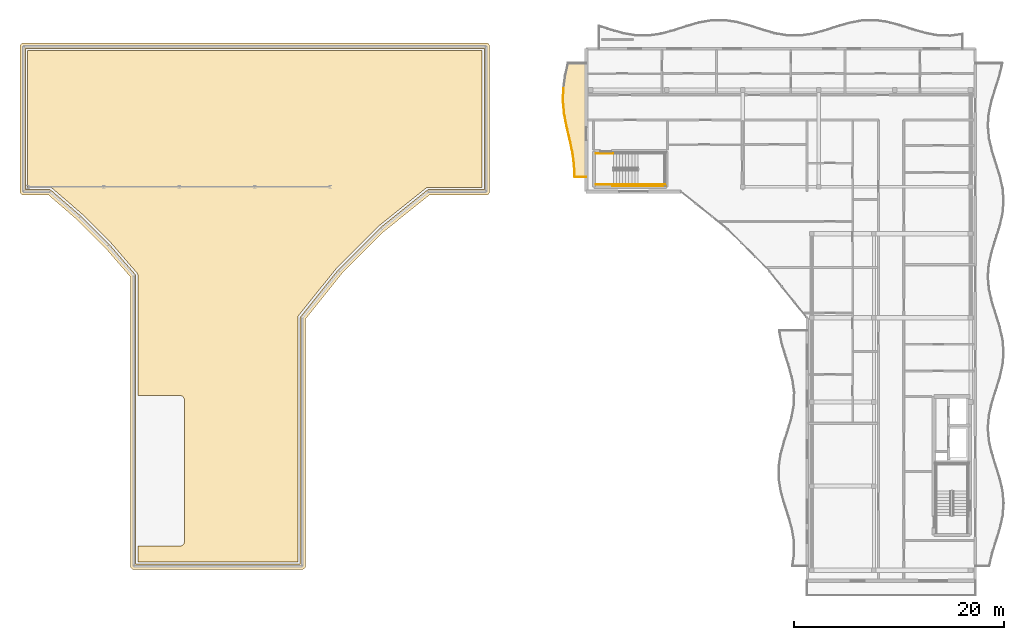
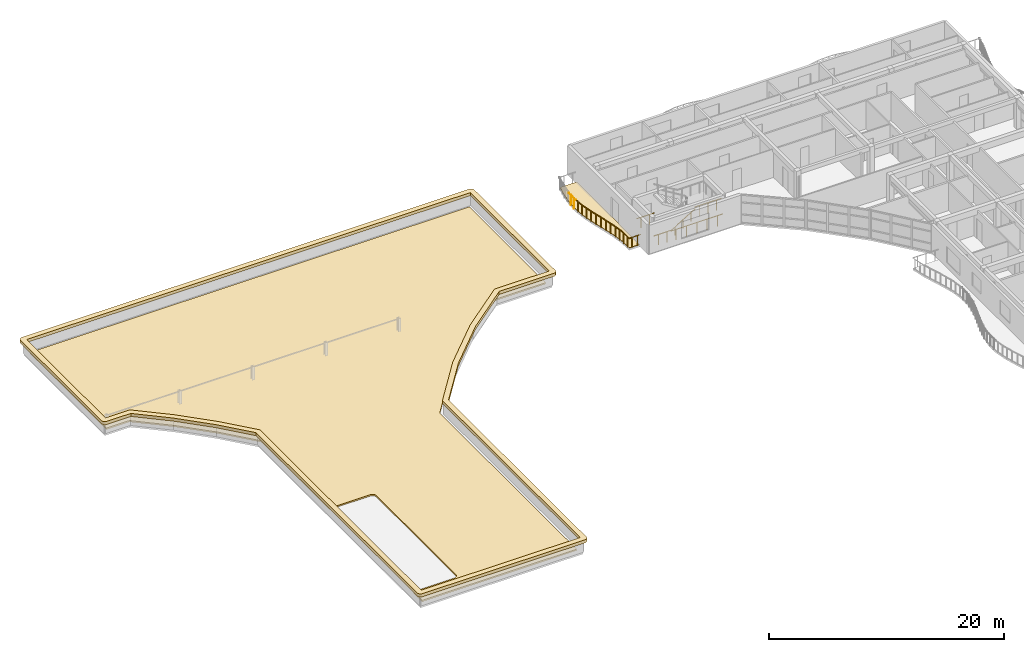
# One storey, part 14 of 18: 13 railings, 3 coverings.
"""IFC4 building model written with IfcOpenShell, lengths in metres."""

from ifc_helpers import new_model, si_unit, direction, frame, origin, origin_2d, place, context, subcontext, project, spatial, polyline, circle, outline, extrude, material, layer, layer_set, type_object, element, save


model = new_model("IFC4")

# Units and contexts
model_context = context("Model", 3, precision=1e-05, world=origin(), true_north=direction((0.0, 1.0)))
body_context = subcontext(model_context, "Body", "Model", "MODEL_VIEW")
ifc_project = project(units=[si_unit("LENGTHUNIT", "METRE"), si_unit("AREAUNIT", "SQUARE_METRE"), si_unit("VOLUMEUNIT", "CUBIC_METRE"), si_unit("PLANEANGLEUNIT", "RADIAN"), si_unit("MASSUNIT", "GRAM", prefix="KILO")], contexts=[model_context])

# Site, building, storey
site_placement = place(None, origin())
site = spatial("IfcSite", under=ifc_project, at=site_placement, CompositionType="ELEMENT")
building_placement = place(site_placement, origin())
building = spatial("IfcBuilding", under=site, at=building_placement, Name="Keldmere Railside Commons", CompositionType="ELEMENT")
storey_placement = place(building_placement, frame((0.0, 0.0, 39.360107421875)))
storey = spatial("IfcBuildingStorey", under=building, at=storey_placement, Name="L12", CompositionType="ELEMENT", Elevation=39.360107421875)

# Railings
ifc_material_1 = material(Name="Steel F-24 (S235)", Category="steel")
railing_type_1 = type_object("IfcRailingType", Name="Balcony & Terrace Steel Balustrade 1100", PredefinedType="BALUSTRADE", material=ifc_material_1)
railing_1_placement = place(storey_placement, frame((147.0, 101.39990234375, 0.0)))
element("IfcRailing", 1, at=railing_1_placement, inside=storey, type_object=railing_type_1, Name="GR-1 GRD-L12-4638", PredefinedType="BALUSTRADE", context=body_context, shape_type="SweptSolid", body=[
    extrude(circle(Radius=0.02392578125, at=origin_2d()), frame((0.0, 0.0, 1.076171875), z_axis=(-1.0, 0.0, 0.0), x_axis=(0.0, -1.0, 0.0)), (0.0, 0.0, 1.0), 1.105712890625),
    extrude(circle(Radius=0.02099609375, at=origin_2d()), frame((-0.2763671875, 0.0, 0.0)), (0.0, 0.0, 1.0), 1.048095703125),
    extrude(circle(Radius=0.02099609375, at=origin_2d()), frame((-0.829345703125, 0.0, 0.0)), (0.0, 0.0, 1.0), 1.048095703125),
])
railing_2_placement = place(storey_placement, frame((145.894287109375, 101.39990234375, 0.0)))
element("IfcRailing", 2, at=railing_2_placement, inside=storey, type_object=railing_type_1, Name="GR-1 GRD-L12-4639", PredefinedType="BALUSTRADE", context=body_context, shape_type="SweptSolid", body=[
    extrude(circle(Radius=0.02392578125, at=origin_2d()), frame((0.0, 0.0, 1.076171875), z_axis=(-0.027654187709, 0.999617549817, 0.0), x_axis=(-0.999617549817, -0.027654187709, 0.0)), (0.0, 0.0, 1.0), 1.20068359375),
    extrude(circle(Radius=0.02099609375, at=origin_2d()), frame((-0.00830078125, 0.300048828125, 0.0)), (0.0, 0.0, 1.0), 1.048095703125),
    extrude(circle(Radius=0.02099609375, at=origin_2d()), frame((-0.02490234375, 0.900146484375, 0.0)), (0.0, 0.0, 1.0), 1.048095703125),
])
railing_3_placement = place(storey_placement, frame((145.861083984375, 102.60009765625, 0.0)))
element("IfcRailing", 3, at=railing_3_placement, inside=storey, type_object=railing_type_1, Name="GR-1 GRD-L12-4640", PredefinedType="BALUSTRADE", context=body_context, shape_type="SweptSolid", body=[
    extrude(circle(Radius=0.02392578125, at=origin_2d()), frame((0.0, 0.0, 1.076171875), z_axis=(-0.140208526942, 0.990121997015, 0.0), x_axis=(-0.990121997015, -0.140208526942, 0.0)), (0.0, 0.0, 1.0), 1.2119140625),
    extrude(circle(Radius=0.02099609375, at=origin_2d()), frame((-0.04248046875, 0.300048828125, 0.0)), (0.0, 0.0, 1.0), 1.048095703125),
    extrude(circle(Radius=0.02099609375, at=origin_2d()), frame((-0.12744140625, 0.89990234375, 0.0)), (0.0, 0.0, 1.0), 1.048095703125),
])
railing_4_placement = place(storey_placement, frame((145.691162109375, 103.800048828125, 0.0)))
element("IfcRailing", 4, at=railing_4_placement, inside=storey, type_object=railing_type_1, Name="GR-1 GRD-L12-4641", PredefinedType="BALUSTRADE", context=body_context, shape_type="SweptSolid", body=[
    extrude(circle(Radius=0.02392578125, at=origin_2d()), frame((0.0, 0.0, 1.076171875), z_axis=(-0.212908303153, 0.977072184871, 0.0), x_axis=(-0.977072184871, -0.212908303153, 0.0)), (0.0, 0.0, 1.0), 1.22802734375),
    extrude(circle(Radius=0.02099609375, at=origin_2d()), frame((-0.0654296875, 0.300048828125, 0.0)), (0.0, 0.0, 1.0), 1.048095703125),
    extrude(circle(Radius=0.02099609375, at=origin_2d()), frame((-0.196044921875, 0.89990234375, 0.0)), (0.0, 0.0, 1.0), 1.048095703125),
])
railing_5_placement = place(storey_placement, frame((145.4296875, 105.0, 0.0)))
element("IfcRailing", 5, at=railing_5_placement, inside=storey, type_object=railing_type_1, Name="GR-1 GRD-L12-4642", PredefinedType="BALUSTRADE", context=body_context, shape_type="SweptSolid", body=[
    extrude(circle(Radius=0.02392578125, at=origin_2d()), frame((0.0, 0.0, 1.076171875), z_axis=(-0.22932631443, 0.973349598813, 0.0), x_axis=(-0.973349598813, -0.22932631443, 0.0)), (0.0, 0.0, 1.0), 1.23291015625),
    extrude(circle(Radius=0.02099609375, at=origin_2d()), frame((-0.07080078125, 0.300048828125, 0.0)), (0.0, 0.0, 1.0), 1.048095703125),
    extrude(circle(Radius=0.02099609375, at=origin_2d()), frame((-0.2119140625, 0.89990234375, 0.0)), (0.0, 0.0, 1.0), 1.048095703125),
])
railing_6_placement = place(storey_placement, frame((145.14697265625, 106.199951171875, 0.0)))
element("IfcRailing", 6, at=railing_6_placement, inside=storey, type_object=railing_type_1, Name="GR-1 GRD-L12-4643", PredefinedType="BALUSTRADE", context=body_context, shape_type="SweptSolid", body=[
    extrude(circle(Radius=0.02392578125, at=origin_2d()), frame((0.0, 0.0, 1.076171875), z_axis=(-0.186882487861, 0.982382275762, 0.0), x_axis=(-0.982382275762, -0.186882487861, 0.0)), (0.0, 0.0, 1.0), 1.221435546875),
    extrude(circle(Radius=0.02099609375, at=origin_2d()), frame((-0.05712890625, 0.300048828125, 0.0)), (0.0, 0.0, 1.0), 1.048095703125),
    extrude(circle(Radius=0.02099609375, at=origin_2d()), frame((-0.171142578125, 0.89990234375, 0.0)), (0.0, 0.0, 1.0), 1.048095703125),
])
railing_7_placement = place(storey_placement, frame((144.918701171875, 107.39990234375, 0.0)))
element("IfcRailing", 7, at=railing_7_placement, inside=storey, type_object=railing_type_1, Name="GR-1 GRD-L12-4644", PredefinedType="BALUSTRADE", context=body_context, shape_type="SweptSolid", body=[
    extrude(circle(Radius=0.02392578125, at=origin_2d()), frame((0.0, 0.0, 1.076171875), z_axis=(-0.093566561886, 0.99561302648, 0.0), x_axis=(-0.99561302648, -0.093566561886, 0.0)), (0.0, 0.0, 1.0), 1.20556640625),
    extrude(circle(Radius=0.02099609375, at=origin_2d()), frame((-0.0283203125, 0.300048828125, 0.0)), (0.0, 0.0, 1.0), 1.048095703125),
    extrude(circle(Radius=0.02099609375, at=origin_2d()), frame((-0.08447265625, 0.900146484375, 0.0)), (0.0, 0.0, 1.0), 1.048095703125),
])
railing_8_placement = place(storey_placement, frame((144.805908203125, 108.60009765625, 0.0)))
element("IfcRailing", 8, at=railing_8_placement, inside=storey, type_object=railing_type_1, Name="GR-1 GRD-L12-4645", PredefinedType="BALUSTRADE", context=body_context, shape_type="SweptSolid", body=[
    extrude(circle(Radius=0.02392578125, at=origin_2d()), frame((0.0, 0.0, 1.076171875), z_axis=(0.027456582826, 0.999622996964, 0.0), x_axis=(-0.999622996964, 0.027456582826, 0.0)), (0.0, 0.0, 1.0), 1.200439453125),
    extrude(circle(Radius=0.02099609375, at=origin_2d()), frame((0.00830078125, 0.300048828125, 0.0)), (0.0, 0.0, 1.0), 1.048095703125),
    extrude(circle(Radius=0.02099609375, at=origin_2d()), frame((0.024658203125, 0.89990234375, 0.0)), (0.0, 0.0, 1.0), 1.048095703125),
])

# Coverings
ifc_material_2 = material(Name="Native Planted Green-Roof Substrate", Category="earth")
ifc_layer_1 = layer(ifc_material_2, 0.14990234375, Name="Native Green-Roof Planted Substrate 150")
ifc_layer_set_1 = layer_set([ifc_layer_1], Name="Native Planted Green-Roof Substrate")
covering_type_1 = type_object("IfcCoveringType", Name="Native Green-Roof Planted Substrate 150", PredefinedType="ROOFING", material=ifc_layer_set_1)
covering_1_placement = place(storey_placement, origin())
element("IfcCovering", 9, at=covering_1_placement, inside=storey, type_object=covering_type_1, Name="Roof Green Substrate Block B", PredefinedType="ROOFING", context=body_context, shape_type="SweptSolid", body=[
    extrude(outline(polyline([(104.39990234375, 80.60009765625), (108.39990234375, 80.60009765625), (108.439208984375, 80.59814453125), (108.47802734375, 80.59228515625), (108.51611328125, 80.582763671875), (108.552978515625, 80.569580078125), (108.588623046875, 80.552734375), (108.622314453125, 80.53271484375), (108.65380859375, 80.50927734375), (108.682861328125, 80.48291015625), (108.709228515625, 80.453857421875), (108.732666015625, 80.422119140625), (108.752685546875, 80.388671875), (108.76953125, 80.35302734375), (108.78271484375, 80.316162109375), (108.792236328125, 80.278076171875), (108.798095703125, 80.2392578125), (108.800048828125, 80.199951171875), (108.800048828125, 66.699951171875), (108.798095703125, 66.660888671875), (108.792236328125, 66.6220703125), (108.78271484375, 66.583984375), (108.76953125, 66.546875), (108.752685546875, 66.511474609375), (108.732666015625, 66.477783203125), (108.709228515625, 66.4462890625), (108.682861328125, 66.417236328125), (108.65380859375, 66.390869140625), (108.622314453125, 66.367431640625), (108.588623046875, 66.34716796875), (108.552978515625, 66.330322265625), (108.51611328125, 66.317138671875), (108.47802734375, 66.3076171875), (108.439208984375, 66.302001953125), (108.39990234375, 66.300048828125), (104.39990234375, 66.300048828125), (104.39990234375, 64.800048828125), (119.60009765625, 64.800048828125), (119.60009765625, 88.0), (119.601806640625, 88.03857421875), (119.607421875, 88.076904296875), (119.61669921875, 88.1142578125), (119.62939453125, 88.150634765625), (119.645751953125, 88.185791015625), (119.665283203125, 88.218994140625), (119.68798828125, 88.250244140625), (123.241943359375, 92.680419921875), (123.271240234375, 92.712890625), (127.287109375, 96.728759765625), (127.319580078125, 96.758056640625), (131.749755859375, 100.31201171875), (131.781005859375, 100.334716796875), (131.814208984375, 100.354248046875), (131.849365234375, 100.37060546875), (131.8857421875, 100.38330078125), (131.923095703125, 100.392578125), (131.96142578125, 100.398193359375), (132.0, 100.39990234375), (137.10009765625, 100.39990234375), (137.10009765625, 113.39990234375), (93.89990234375, 113.39990234375), (93.89990234375, 100.39990234375), (96.0, 100.39990234375), (96.040771484375, 100.39794921875), (96.080810546875, 100.3916015625), (96.120361328125, 100.381591796875), (96.158447265625, 100.3671875), (96.19482421875, 100.349365234375), (96.2294921875, 100.32763671875), (96.26171875, 100.302490234375), (99.11962890625, 97.83251953125), (99.140869140625, 97.812744140625), (101.812744140625, 95.140869140625), (101.83251953125, 95.11962890625), (104.302490234375, 92.26171875), (104.32763671875, 92.2294921875), (104.349365234375, 92.19482421875), (104.3671875, 92.158447265625), (104.381591796875, 92.120361328125), (104.3916015625, 92.080810546875), (104.39794921875, 92.040771484375), (104.39990234375, 92.0), (104.39990234375, 80.60009765625)])), origin(), (0.0, 0.0, 1.0), 0.14990234375),
])
ifc_material_3 = material(Name="White Precast Concrete C35/45", Category="concrete")
ifc_layer_2 = layer(ifc_material_3, 0.280029296875, Name="Postmodern Stepped Precast Cornice Band 280")
ifc_layer_set_2 = layer_set([ifc_layer_2], Name="White Precast Concrete C35/45")
covering_type_2 = type_object("IfcCoveringType", Name="Postmodern Stepped Precast Cornice Band 280", PredefinedType="CLADDING", material=ifc_layer_set_2)
covering_2_placement = place(storey_placement, frame((0.0, 0.0, 1.099853515625)))
element("IfcCovering", 10, at=covering_2_placement, inside=storey, type_object=covering_type_2, Name="CRN-1 Postmodern Crown Cornice Block B", PredefinedType="CLADDING", context=body_context, shape_type="SweptSolid", body=[
    extrude(outline(polyline([(103.679931640625, 91.880859375), (101.29541015625, 94.639892578125), (98.639892578125, 97.29541015625), (95.880859375, 99.679931640625), (93.5, 99.679931640625), (93.468505859375, 99.681396484375), (93.4375, 99.68603515625), (93.406982421875, 99.69384765625), (93.37744140625, 99.704345703125), (93.34912109375, 99.7177734375), (93.322265625, 99.73388671875), (93.297119140625, 99.752685546875), (93.273681640625, 99.773681640625), (93.252685546875, 99.797119140625), (93.23388671875, 99.822265625), (93.2177734375, 99.84912109375), (93.204345703125, 99.87744140625), (93.19384765625, 99.906982421875), (93.18603515625, 99.9375), (93.181396484375, 99.968505859375), (93.179931640625, 100.0), (93.179931640625, 113.800048828125), (93.181396484375, 113.831298828125), (93.18603515625, 113.8623046875), (93.19384765625, 113.892822265625), (93.204345703125, 113.922607421875), (93.2177734375, 113.95068359375), (93.23388671875, 113.977783203125), (93.252685546875, 114.0029296875), (93.273681640625, 114.0263671875), (93.297119140625, 114.04736328125), (93.322265625, 114.066162109375), (93.34912109375, 114.082275390625), (93.37744140625, 114.095703125), (93.406982421875, 114.106201171875), (93.4375, 114.114013671875), (93.468505859375, 114.118408203125), (93.5, 114.1201171875), (137.5, 114.1201171875), (137.531494140625, 114.118408203125), (137.5625, 114.114013671875), (137.593017578125, 114.106201171875), (137.62255859375, 114.095703125), (137.65087890625, 114.082275390625), (137.677734375, 114.066162109375), (137.702880859375, 114.04736328125), (137.726318359375, 114.0263671875), (137.747314453125, 114.0029296875), (137.76611328125, 113.977783203125), (137.7822265625, 113.95068359375), (137.795654296875, 113.922607421875), (137.80615234375, 113.892822265625), (137.81396484375, 113.8623046875), (137.818603515625, 113.831298828125), (137.820068359375, 113.800048828125), (137.820068359375, 100.0), (137.818603515625, 99.968505859375), (137.81396484375, 99.9375), (137.80615234375, 99.906982421875), (137.795654296875, 99.87744140625), (137.7822265625, 99.84912109375), (137.76611328125, 99.822265625), (137.747314453125, 99.797119140625), (137.726318359375, 99.773681640625), (137.702880859375, 99.752685546875), (137.677734375, 99.73388671875), (137.65087890625, 99.7177734375), (137.62255859375, 99.704345703125), (137.593017578125, 99.69384765625), (137.5625, 99.68603515625), (137.531494140625, 99.681396484375), (137.5, 99.679931640625), (132.112548828125, 99.679931640625), (127.783935546875, 96.207275390625), (123.792724609375, 92.216064453125), (120.320068359375, 87.887451171875), (120.320068359375, 64.39990234375), (120.318603515625, 64.36865234375), (120.31396484375, 64.337646484375), (120.30615234375, 64.30712890625), (120.295654296875, 64.277587890625), (120.2822265625, 64.249267578125), (120.26611328125, 64.22216796875), (120.247314453125, 64.197021484375), (120.226318359375, 64.173583984375), (120.202880859375, 64.152587890625), (120.177734375, 64.1337890625), (120.15087890625, 64.117919921875), (120.12255859375, 64.1044921875), (120.093017578125, 64.09375), (120.0625, 64.086181640625), (120.031494140625, 64.08154296875), (120.0, 64.080078125), (104.0, 64.080078125), (103.968505859375, 64.08154296875), (103.9375, 64.086181640625), (103.906982421875, 64.09375), (103.87744140625, 64.1044921875), (103.84912109375, 64.117919921875), (103.822265625, 64.1337890625), (103.797119140625, 64.152587890625), (103.773681640625, 64.173583984375), (103.752685546875, 64.197021484375), (103.73388671875, 64.22216796875), (103.7177734375, 64.249267578125), (103.704345703125, 64.277587890625), (103.69384765625, 64.30712890625), (103.68603515625, 64.337646484375), (103.681396484375, 64.36865234375), (103.679931640625, 64.39990234375), (103.679931640625, 91.880859375)]), holes=[polyline([(104.179931640625, 64.580078125), (104.179931640625, 92.0), (104.17919921875, 92.018310546875), (104.17626953125, 92.036376953125), (104.171630859375, 92.05419921875), (104.165283203125, 92.0712890625), (104.1572265625, 92.087646484375), (104.1474609375, 92.103271484375), (104.13623046875, 92.11767578125), (101.666259765625, 94.9755859375), (101.6572265625, 94.9853515625), (98.9853515625, 97.6572265625), (98.9755859375, 97.666259765625), (96.11767578125, 100.13623046875), (96.103271484375, 100.1474609375), (96.087646484375, 100.1572265625), (96.0712890625, 100.165283203125), (96.05419921875, 100.171630859375), (96.036376953125, 100.17626953125), (96.018310546875, 100.17919921875), (96.0, 100.179931640625), (93.679931640625, 100.179931640625), (93.679931640625, 113.6201171875), (137.320068359375, 113.6201171875), (137.320068359375, 100.179931640625), (132.0, 100.179931640625), (131.982666015625, 100.17919921875), (131.96533203125, 100.1767578125), (131.948486328125, 100.172607421875), (131.93212890625, 100.166748046875), (131.91650390625, 100.159423828125), (131.9013671875, 100.150634765625), (131.887451171875, 100.140380859375), (127.45751953125, 96.58642578125), (127.442626953125, 96.5732421875), (123.4267578125, 92.557373046875), (123.41357421875, 92.54248046875), (119.859619140625, 88.112548828125), (119.849365234375, 88.0986328125), (119.840576171875, 88.08349609375), (119.833251953125, 88.06787109375), (119.827392578125, 88.051513671875), (119.8232421875, 88.03466796875), (119.82080078125, 88.017333984375), (119.820068359375, 88.0), (119.820068359375, 64.580078125), (104.179931640625, 64.580078125)])]), origin(), (0.0, 0.0, 1.0), 0.320068359375),
])

# Railings
railing_type_2 = type_object("IfcRailingType", Name="Stair Well Steel Guardrail 1100", PredefinedType="BALUSTRADE", material=ifc_material_1)
railing_9_placement = place(storey_placement, frame((151.919921875, 100.64990234375, 1.599853515625)))
element("IfcRailing", 11, at=railing_9_placement, inside=storey, type_object=railing_type_2, Name="L12 ST-A2 stair guard 3", PredefinedType="BALUSTRADE", context=body_context, shape_type="SweptSolid", body=[
    extrude(circle(Radius=0.02392578125, at=origin_2d()), frame((0.0, 0.0, 1.076171875), z_axis=(1.0, 0.0, 0.0), x_axis=(0.0, 1.0, 0.0)), (0.0, 0.0, 1.0), 2.580078125),
    extrude(circle(Radius=0.02099609375, at=origin_2d()), frame((0.429931640625, 0.0, 0.0)), (0.0, 0.0, 1.0), 1.048095703125),
    extrude(circle(Radius=0.02099609375, at=origin_2d()), frame((1.2900390625, 0.0, 0.0)), (0.0, 0.0, 1.0), 1.048095703125),
    extrude(circle(Radius=0.02099609375, at=origin_2d()), frame((2.150146484375, 0.0, 0.0)), (0.0, 0.0, 1.0), 1.048095703125),
])
for number, where, name in (
    (12, (147.89990234375, 100.64990234375, 0.0), "L12 ST-A2 stair guard 8"),
    (13, (147.89990234375, 103.60009765625, 0.0), "L12 ST-A2 stair guard 9"),
):
    element("IfcRailing", number, at=place(storey_placement, frame(where)), inside=storey, type_object=railing_type_2, Name=name, PredefinedType="BALUSTRADE", context=body_context, shape_type="SweptSolid", body=[
        extrude(circle(Radius=0.02392578125, at=origin_2d()), frame((0.0, 0.0, 1.076171875), z_axis=(1.0, 0.0, 0.0), x_axis=(0.0, 1.0, 0.0)), (0.0, 0.0, 1.0), 1.7001953125),
        extrude(circle(Radius=0.02099609375, at=origin_2d()), frame((0.425048828125, 0.0, 0.0)), (0.0, 0.0, 1.0), 1.048095703125),
        extrude(circle(Radius=0.02099609375, at=origin_2d()), frame((1.275146484375, 0.0, 0.0)), (0.0, 0.0, 1.0), 1.048095703125),
    ])
railing_10_placement = place(storey_placement, frame((149.5, 100.550048828125, 0.0)))
element("IfcRailing", 14, at=railing_10_placement, inside=storey, type_object=railing_type_2, Name="L12 ST-A2 stair guard 10", PredefinedType="BALUSTRADE", context=body_context, shape_type="SweptSolid", body=[
    extrude(circle(Radius=0.02392578125, at=origin_2d()), frame((0.0, 0.0, 1.076171875), z_axis=(1.0, 0.0, 0.0), x_axis=(0.0, 1.0, 0.0)), (0.0, 0.0, 1.0), 5.10009765625),
    extrude(circle(Radius=0.02099609375, at=origin_2d()), frame((0.510009765625, 0.0, 0.0)), (0.0, 0.0, 1.0), 1.048095703125),
    extrude(circle(Radius=0.02099609375, at=origin_2d()), frame((1.530029296875, 0.0, 0.0)), (0.0, 0.0, 1.0), 1.048095703125),
    extrude(circle(Radius=0.02099609375, at=origin_2d()), frame((2.550048828125, 0.0, 0.0)), (0.0, 0.0, 1.0), 1.048095703125),
    extrude(circle(Radius=0.02099609375, at=origin_2d()), frame((3.570068359375, 0.0, 0.0)), (0.0, 0.0, 1.0), 1.048095703125),
    extrude(circle(Radius=0.02099609375, at=origin_2d()), frame((4.590087890625, 0.0, 0.0)), (0.0, 0.0, 1.0), 1.048095703125),
])
railing_type_3 = type_object("IfcRailingType", Name="Wall-Mounted Tubular Steel Handrail 900", PredefinedType="HANDRAIL", material=ifc_material_1)
railing_11_placement = place(storey_placement, frame((149.60009765625, 100.64990234375, 0.177734375)))
element("IfcRailing", 15, at=railing_11_placement, inside=storey, type_object=railing_type_3, Name="L12 ST-A2 stair handrail 1", PredefinedType="HANDRAIL", context=body_context, shape_type="SweptSolid", body=[
    extrude(circle(Radius=0.02392578125, at=origin_2d()), frame((0.0, 0.0, 0.8759765625), z_axis=(0.85255353654, 0.0, 0.522639902162), x_axis=(0.0, 1.0, 0.0)), (0.0, 0.0, 1.0), 2.720947265625),
    extrude(circle(Radius=0.02099609375, at=origin_2d()), frame((0.38671875, 0.0, 0.237060546875)), (0.0, 0.0, 1.0), 0.847900390625),
    extrude(circle(Radius=0.02099609375, at=origin_2d()), frame((1.159912109375, 0.0, 0.7109375)), (0.0, 0.0, 1.0), 0.847900390625),
    extrude(circle(Radius=0.02099609375, at=origin_2d()), frame((1.93310546875, 0.0, 1.18505859375)), (0.0, 0.0, 1.0), 0.847900390625),
])

# Covering
ifc_layer_3 = layer(ifc_material_3, 0.044921875, Name="White Architectural Balcony Ribbon Cladding 45")
ifc_layer_set_3 = layer_set([ifc_layer_3], Name="White Precast Concrete C35/45")
covering_type_3 = type_object("IfcCoveringType", Name="White Architectural Balcony Ribbon Cladding 45", PredefinedType="FLOORING", material=ifc_layer_set_3)
covering_3_placement = place(storey_placement, origin())
element("IfcCovering", 16, at=covering_3_placement, inside=storey, type_object=covering_type_3, Name="CLG-WB A L12 WW White Balcony Ribbon", PredefinedType="FLOORING", context=body_context, shape_type="SweptSolid", body=[
    extrude(outline(polyline([(146.9599609375, 112.159912109375), (145.302490234375, 112.159912109375), (145.048095703125, 110.992919921875), (144.878662109375, 109.796630859375), (144.845947265625, 108.601318359375), (144.958251953125, 107.405517578125), (145.18603515625, 106.208251953125), (145.46875, 105.00927734375), (145.468994140625, 105.008544921875), (145.730224609375, 103.80859375), (145.730712890625, 103.8056640625), (145.90087890625, 102.605712890625), (145.901123046875, 102.60107421875), (145.93310546875, 101.43994140625), (146.9599609375, 101.43994140625), (146.9599609375, 112.159912109375)])), origin(), (0.0, 0.0, 1.0), 0.044921875),
])

save(model, "model.ifc")
